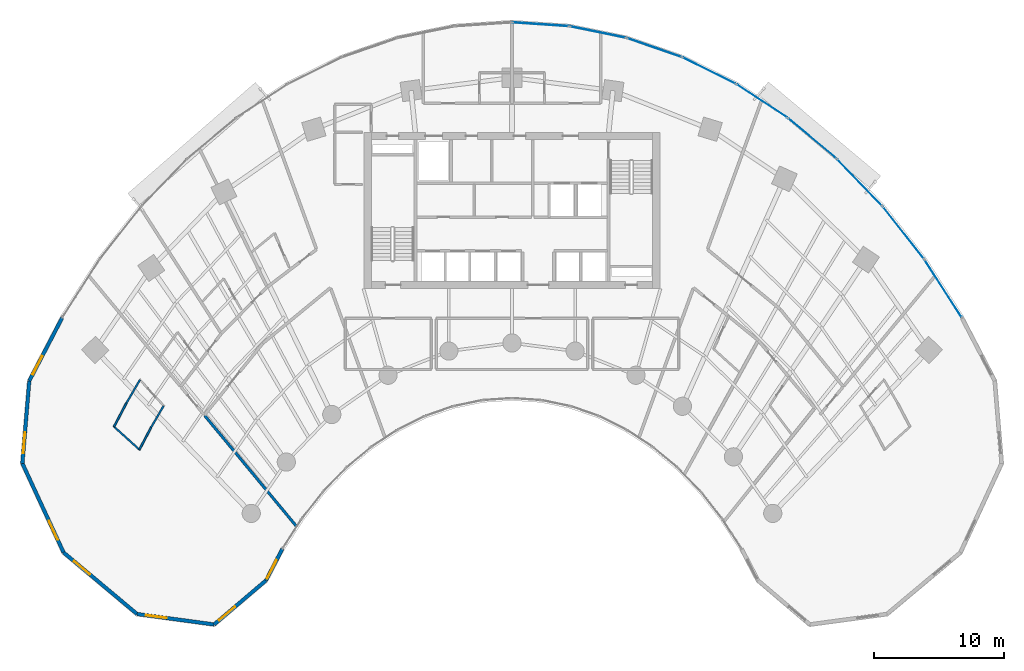
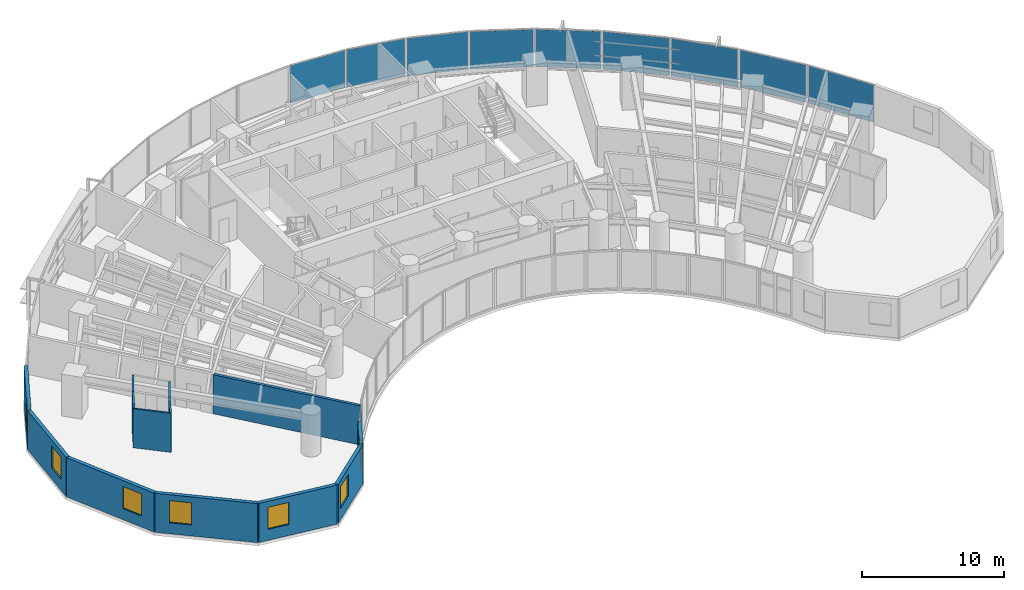
# One storey, part 10 of 17: 13 walls, 9 plates, 7 windows, 7 openings, 9 elements without a shape of their own.
"""IFC4 building model written with IfcOpenShell, lengths in metres."""

from ifc_helpers import new_model, si_unit, direction, frame, frame_2d, origin, origin_2d, place, context, subcontext, project, spatial, rectangle, extrude, source, transform, mapped, material, layer, layer_set, type_object, type_shapes, element, fill, aggregate, save


model = new_model("IFC4")

# Units and contexts
model_context = context("Model", 3, precision=1e-05, world=origin(), true_north=direction((0.0, 1.0)))
body_context = subcontext(model_context, "Body", "Model", "MODEL_VIEW")
ifc_project = project(units=[si_unit("LENGTHUNIT", "METRE"), si_unit("AREAUNIT", "SQUARE_METRE"), si_unit("VOLUMEUNIT", "CUBIC_METRE"), si_unit("PLANEANGLEUNIT", "RADIAN"), si_unit("MASSUNIT", "GRAM", prefix="KILO")], contexts=[model_context])

# Site, building, storey
site_placement = place(None, origin())
site = spatial("IfcSite", under=ifc_project, at=site_placement, CompositionType="ELEMENT")
building_placement = place(site_placement, origin())
building = spatial("IfcBuilding", under=site, at=building_placement, Name="Breltana Convention Tower", CompositionType="ELEMENT")
storey_placement = place(building_placement, frame((0.0, 0.0, 75.0)))
storey = spatial("IfcBuildingStorey", under=building, at=storey_placement, Name="L17", CompositionType="ELEMENT", Elevation=75.0)

# Curtain wall, plate
ifc_material_1 = material(Name="Aluminium Anodised Bronze Frame", Category="aluminium")
ifc_layer_1 = layer(ifc_material_1, 0.199951171875, Name="Aluminium Anodised Bronze Frame")
ifc_layer_set_1 = layer_set([ifc_layer_1], Name="Aluminium Anodised Bronze Frame")
curtain_wall_type = type_object("IfcCurtainWallType", Name="CW-SYS-2", PredefinedType="NOTDEFINED", material=ifc_layer_set_1)
curtain_wall_1_placement = place(storey_placement, origin())
curtain_wall_1 = element("IfcCurtainWall", 1, at=curtain_wall_1_placement, inside=storey, type_object=curtain_wall_type, Name="L17 outer double-skin inner glazing 17", PredefinedType="NOTDEFINED")
ifc_material_2 = material(Name="Glass Low-E Double Glazing", Category="glass")
ifc_layer_2 = layer(ifc_material_2, 0.031982421875, Name="Glass Low-E Double Glazing")
ifc_layer_set_2 = layer_set([ifc_layer_2], Name="Glass Low-E Double Glazing")
plate_type = type_object("IfcPlateType", Name="CWP-IGU-32", PredefinedType="CURTAIN_PANEL", material=ifc_layer_set_2)
shared_shape_1 = source(origin(), body_context, "Body", "SweptSolid", [
    extrude(rectangle(XDim=5.0546875, YDim=0.031982421875, at=origin_2d()), origin(), (0.0, 0.0, 1.0), 3.219970703125),
])
plate_1_placement = place(storey_placement, frame((78.038818359375, 64.504638671875, 0.06982421875), z_axis=(0.0, 0.0, 1.0), x_axis=(0.618153917633, -0.786057080698, 0.0)))
plate_1 = element("IfcPlate", 2, at=plate_1_placement, type_object=plate_type, Name="CW-02 panel 1.1", PredefinedType="CURTAIN_PANEL", context=body_context, shape_type="MappedRepresentation", body=[
    mapped(shared_shape_1, transform((0.0, 0.0, 0.0), scale=1.0)),
])
aggregate(curtain_wall_1, [plate_1])

curtain_wall_2_placement = place(storey_placement, origin())
curtain_wall_2 = element("IfcCurtainWall", 3, at=curtain_wall_2_placement, inside=storey, type_object=curtain_wall_type, Name="L17 outer double-skin inner glazing 16", PredefinedType="NOTDEFINED")
shared_shape_2 = source(origin(), body_context, "Body", "SweptSolid", [
    extrude(rectangle(XDim=4.901123046875, YDim=0.031982421875, at=origin_2d()), origin(), (0.0, 0.0, 1.0), 3.219970703125),
])
plate_2_placement = place(storey_placement, frame((74.682373046875, 68.359619140625, 0.06982421875), z_axis=(0.0, 0.0, 1.0), x_axis=(0.694610090106, -0.719386421003, 0.0)))
plate_2 = element("IfcPlate", 4, at=plate_2_placement, type_object=plate_type, Name="CW-02 panel 1.1", PredefinedType="CURTAIN_PANEL", context=body_context, shape_type="MappedRepresentation", body=[
    mapped(shared_shape_2, transform((0.0, 0.0, 0.0), scale=1.0)),
])
aggregate(curtain_wall_2, [plate_2])

curtain_wall_3_placement = place(storey_placement, origin())
curtain_wall_3 = element("IfcCurtainWall", 5, at=curtain_wall_3_placement, inside=storey, type_object=curtain_wall_type, Name="L17 outer double-skin inner glazing 15", PredefinedType="NOTDEFINED")
shared_shape_3 = source(origin(), body_context, "Body", "SweptSolid", [
    extrude(rectangle(XDim=4.7509765625, YDim=0.031982421875, at=origin_2d()), origin(), (0.0, 0.0, 1.0), 3.219970703125),
])
plate_3_placement = place(storey_placement, frame((71.0537109375, 71.7392578125, 0.06982421875), z_axis=(0.0, 0.0, 1.0), x_axis=(0.767941326958, -0.640520193554, 0.0)))
plate_3 = element("IfcPlate", 6, at=plate_3_placement, type_object=plate_type, Name="CW-02 panel 1.1", PredefinedType="CURTAIN_PANEL", context=body_context, shape_type="MappedRepresentation", body=[
    mapped(shared_shape_3, transform((0.0, 0.0, 0.0), scale=1.0)),
])
aggregate(curtain_wall_3, [plate_3])

curtain_wall_4_placement = place(storey_placement, origin())
curtain_wall_4 = element("IfcCurtainWall", 7, at=curtain_wall_4_placement, inside=storey, type_object=curtain_wall_type, Name="L17 outer double-skin inner glazing 14", PredefinedType="NOTDEFINED")
shared_shape_4 = source(origin(), body_context, "Body", "SweptSolid", [
    extrude(rectangle(XDim=4.610595703125, YDim=0.031982421875, at=origin_2d()), origin(), (0.0, 0.0, 1.0), 3.219970703125),
])
plate_4_placement = place(storey_placement, frame((67.18994140625, 74.609130859375, 0.06982421875), z_axis=(0.0, 0.0, 1.0), x_axis=(0.83596401875, -0.548784255746, 0.0)))
plate_4 = element("IfcPlate", 8, at=plate_4_placement, type_object=plate_type, Name="CW-02 panel 1.1", PredefinedType="CURTAIN_PANEL", context=body_context, shape_type="MappedRepresentation", body=[
    mapped(shared_shape_4, transform((0.0, 0.0, 0.0), scale=1.0)),
])
aggregate(curtain_wall_4, [plate_4])

curtain_wall_5_placement = place(storey_placement, origin())
curtain_wall_5 = element("IfcCurtainWall", 9, at=curtain_wall_5_placement, inside=storey, type_object=curtain_wall_type, Name="L17 outer double-skin inner glazing 13", PredefinedType="NOTDEFINED")
shared_shape_5 = source(origin(), body_context, "Body", "SweptSolid", [
    extrude(rectangle(XDim=4.487548828125, YDim=0.031982421875, at=origin_2d()), origin(), (0.0, 0.0, 1.0), 3.219970703125),
])
plate_5_placement = place(storey_placement, frame((63.13134765625, 76.940185546875, 0.06982421875), z_axis=(0.0, 0.0, 1.0), x_axis=(0.895973407804, -0.444107703726, 0.0)))
plate_5 = element("IfcPlate", 10, at=plate_5_placement, type_object=plate_type, Name="CW-02 panel 1.1", PredefinedType="CURTAIN_PANEL", context=body_context, shape_type="MappedRepresentation", body=[
    mapped(shared_shape_5, transform((0.0, 0.0, 0.0), scale=1.0)),
])
aggregate(curtain_wall_5, [plate_5])

curtain_wall_6_placement = place(storey_placement, origin())
curtain_wall_6 = element("IfcCurtainWall", 11, at=curtain_wall_6_placement, inside=storey, type_object=curtain_wall_type, Name="L17 outer double-skin inner glazing 12", PredefinedType="NOTDEFINED")
shared_shape_6 = source(origin(), body_context, "Body", "SweptSolid", [
    extrude(rectangle(XDim=4.388427734375, YDim=0.031982421875, at=origin_2d()), origin(), (0.0, 0.0, 1.0), 3.219970703125),
])
plate_6_placement = place(storey_placement, frame((58.9189453125, 78.709228515625, 0.06982421875), z_axis=(0.0, 0.0, 1.0), x_axis=(0.944876012163, -0.32742834581, 0.0)))
plate_6 = element("IfcPlate", 12, at=plate_6_placement, type_object=plate_type, Name="CW-02 panel 1.1", PredefinedType="CURTAIN_PANEL", context=body_context, shape_type="MappedRepresentation", body=[
    mapped(shared_shape_6, transform((0.0, 0.0, 0.0), scale=1.0)),
])
aggregate(curtain_wall_6, [plate_6])

curtain_wall_7_placement = place(storey_placement, origin())
curtain_wall_7 = element("IfcCurtainWall", 13, at=curtain_wall_7_placement, inside=storey, type_object=curtain_wall_type, Name="L17 outer double-skin inner glazing 11", PredefinedType="NOTDEFINED")
shared_shape_7 = source(origin(), body_context, "Body", "SweptSolid", [
    extrude(rectangle(XDim=4.318359375, YDim=0.031982421875, at=origin_2d()), origin(), (0.0, 0.0, 1.0), 3.219970703125),
])
plate_7_placement = place(storey_placement, frame((54.595703125, 79.898193359375, 0.06982421875), z_axis=(0.0, 0.0, 1.0), x_axis=(0.979614925743, -0.200884537139, 0.0)))
plate_7 = element("IfcPlate", 14, at=plate_7_placement, type_object=plate_type, Name="CW-02 panel 1.1", PredefinedType="CURTAIN_PANEL", context=body_context, shape_type="MappedRepresentation", body=[
    mapped(shared_shape_7, transform((0.0, 0.0, 0.0), scale=1.0)),
])
aggregate(curtain_wall_7, [plate_7])

curtain_wall_8_placement = place(storey_placement, origin())
curtain_wall_8 = element("IfcCurtainWall", 15, at=curtain_wall_8_placement, inside=storey, type_object=curtain_wall_type, Name="L17 outer double-skin inner glazing 10", PredefinedType="NOTDEFINED")
shared_shape_8 = source(origin(), body_context, "Body", "SweptSolid", [
    extrude(rectangle(XDim=4.2822265625, YDim=0.031982421875, at=origin_2d()), origin(), (0.0, 0.0, 1.0), 3.219970703125),
])
plate_8_placement = place(storey_placement, frame((50.2060546875, 80.495849609375, 0.06982421875), z_axis=(0.0, 0.0, 1.0), x_axis=(0.997703982282, -0.067725650529, 0.0)))
plate_8 = element("IfcPlate", 16, at=plate_8_placement, type_object=plate_type, Name="CW-02 panel 1.1", PredefinedType="CURTAIN_PANEL", context=body_context, shape_type="MappedRepresentation", body=[
    mapped(shared_shape_8, transform((0.0, 0.0, 0.0), scale=1.0)),
])
aggregate(curtain_wall_8, [plate_8])

curtain_wall_9_placement = place(storey_placement, origin())
curtain_wall_9 = element("IfcCurtainWall", 17, at=curtain_wall_9_placement, inside=storey, type_object=curtain_wall_type, Name="L17 outer double-skin inner glazing 18", PredefinedType="NOTDEFINED")
shared_shape_9 = source(origin(), body_context, "Body", "SweptSolid", [
    extrude(rectangle(XDim=5.20556640625, YDim=0.031982421875, at=origin_2d()), origin(), (0.0, 0.0, 1.0), 3.219970703125),
])
plate_9_placement = place(storey_placement, frame((81.088134765625, 60.2138671875, 0.06982421875), z_axis=(0.0, 0.0, 1.0), x_axis=(0.540180724109, -0.841549039154, 0.0)))
plate_9 = element("IfcPlate", 18, at=plate_9_placement, type_object=plate_type, Name="CW-02 panel 1.1", PredefinedType="CURTAIN_PANEL", context=body_context, shape_type="MappedRepresentation", body=[
    mapped(shared_shape_9, transform((0.0, 0.0, 0.0), scale=1.0)),
])
aggregate(curtain_wall_9, [plate_9])

# Wall, opening, window
ifc_material_3 = material(Name="Limestone Buff Insulated Wall", Category="masonry")
ifc_layer_3 = layer(ifc_material_3, 0.280029296875, Name="Limestone Buff Insulated Wall")
ifc_layer_set_3 = layer_set([ifc_layer_3], Name="Limestone Buff Insulated Wall")
wall_type_1 = type_object("IfcWallType", Name="WL-EXT-NOSE-280", PredefinedType="SOLIDWALL", material=ifc_layer_set_3)
shared_shape_10 = source(origin(), body_context, "Body", "SweptSolid", [
    extrude(rectangle(XDim=6.3525390625, YDim=0.280029296875, at=frame_2d((3.17626953125, 0.0))), origin(), (0.0, 0.0, 1.0), 3.360107421875),
])
wall_1_placement = place(storey_placement, frame((10.417724609375, 46.79150390625, 0.0), z_axis=(0.0, 0.0, 1.0), x_axis=(0.083319001377, 0.996522926986, 0.0)))
wall_1 = element("IfcWall", 19, at=wall_1_placement, inside=storey, type_object=wall_type_1, Name="L17 curved limestone nose wall W6", PredefinedType="SOLIDWALL", context=body_context, shape_type="MappedRepresentation", body=[
    mapped(shared_shape_10, transform((0.0, 0.0, 0.0), scale=1.0)),
])
opening_1_placement = place(wall_1_placement, frame((0.7880859375, 0.0, 0.949951171875)))
opening_1 = element("IfcOpeningElement", 20, at=opening_1_placement, cuts=wall_1, Name="Opening W-04", PredefinedType="OPENING", context=body_context, shape_type="SweptSolid", body=[
    extrude(rectangle(XDim=1.60009765625, YDim=1.89990234375, at=frame_2d((0.800048828125, 0.949951171875))), frame((0.0, 0.14990234375, 0.0), z_axis=(0.0, -1.0, 0.0), x_axis=(1.0, 0.0, 0.0)), (0.0, 0.0, 1.0), 0.300048828125),
])
ifc_material_4 = material(Name="Glass Low-E Insulated Window", Category="glass")
window_type = type_object("IfcWindowType", Name="WN-NOSE-1600X1900", PartitioningType="SINGLE_PANEL", PredefinedType="WINDOW", material=ifc_material_4)
shared_shape_11 = source(origin(), body_context, "Body", "SweptSolid", [
    extrude(rectangle(XDim=1.60009765625, YDim=1.89990234375, at=frame_2d((0.800048828125, 0.949951171875))), frame((0.0, 0.030029296875, 0.0), z_axis=(0.0, -1.0, 0.0), x_axis=(1.0, 0.0, 0.0)), (0.0, 0.0, 1.0), 0.06005859375),
])
type_shapes(window_type, [shared_shape_11])
window_1_placement = place(opening_1_placement, origin())
window_1 = element("IfcWindow", 21, at=window_1_placement, inside=storey, type_object=window_type, Name="L17 nose window W6", OverallHeight=1.89990234375, OverallWidth=1.60009765625, PartitioningType="SINGLE_PANEL", PredefinedType="WINDOW", context=body_context, shape_type="MappedRepresentation", body=[
    mapped(shared_shape_11, transform((0.0, 0.0, 0.0), scale=1.0)),
])
fill(opening_1, window_1)

shared_shape_12 = source(origin(), body_context, "Body", "SweptSolid", [
    extrude(rectangle(XDim=7.536376953125, YDim=0.280029296875, at=frame_2d((3.76806640625, 0.0))), origin(), (0.0, 0.0, 1.0), 3.360107421875),
])
wall_2_placement = place(storey_placement, frame((13.580322265625, 39.950927734375, 0.0), z_axis=(0.0, 0.0, 1.0), x_axis=(-0.41964973873, 0.907686122393, 0.0)))
wall_2 = element("IfcWall", 22, at=wall_2_placement, inside=storey, type_object=wall_type_1, Name="L17 curved limestone nose wall W5", PredefinedType="SOLIDWALL", context=body_context, shape_type="MappedRepresentation", body=[
    mapped(shared_shape_12, transform((0.0, 0.0, 0.0), scale=1.0)),
])
opening_2_placement = place(wall_2_placement, frame((1.083984375, 0.0, 0.949951171875)))
opening_2 = element("IfcOpeningElement", 23, at=opening_2_placement, cuts=wall_2, Name="Opening W-04", PredefinedType="OPENING", context=body_context, shape_type="SweptSolid", body=[
    extrude(rectangle(XDim=1.60009765625, YDim=1.89990234375, at=frame_2d((0.800048828125, 0.949951171875))), frame((0.0, 0.14990234375, 0.0), z_axis=(0.0, -1.0, 0.0), x_axis=(1.0, 0.0, 0.0)), (0.0, 0.0, 1.0), 0.300048828125),
])
window_2_placement = place(opening_2_placement, origin())
window_2 = element("IfcWindow", 24, at=window_2_placement, inside=storey, type_object=window_type, Name="L17 nose window W5", OverallHeight=1.89990234375, OverallWidth=1.60009765625, PartitioningType="SINGLE_PANEL", PredefinedType="WINDOW", context=body_context, shape_type="MappedRepresentation", body=[
    mapped(shared_shape_11, transform((0.0, 0.0, 0.0), scale=1.0)),
])
fill(opening_2, window_2)

shared_shape_13 = source(origin(), body_context, "Body", "SweptSolid", [
    extrude(rectangle(XDim=7.35888671875, YDim=0.280029296875, at=frame_2d((3.679443359375, 0.0))), origin(), (0.0, 0.0, 1.0), 3.360107421875),
])
wall_3_placement = place(storey_placement, frame((19.22265625, 35.226806640625, 0.0), z_axis=(0.0, 0.0, 1.0), x_axis=(-0.766737165543, 0.641961150675, 0.0)))
wall_3 = element("IfcWall", 25, at=wall_3_placement, inside=storey, type_object=wall_type_1, Name="L17 curved limestone nose wall W4", PredefinedType="SOLIDWALL", context=body_context, shape_type="MappedRepresentation", body=[
    mapped(shared_shape_13, transform((0.0, 0.0, 0.0), scale=1.0)),
])
opening_3_placement = place(wall_3_placement, frame((4.71923828125, 0.0, 0.949951171875)))
opening_3 = element("IfcOpeningElement", 26, at=opening_3_placement, cuts=wall_3, Name="Opening W-04", PredefinedType="OPENING", context=body_context, shape_type="SweptSolid", body=[
    extrude(rectangle(XDim=1.60009765625, YDim=1.89990234375, at=frame_2d((0.800048828125, 0.949951171875))), frame((0.0, 0.14990234375, 0.0), z_axis=(0.0, -1.0, 0.0), x_axis=(1.0, 0.0, 0.0)), (0.0, 0.0, 1.0), 0.300048828125),
])
window_3_placement = place(opening_3_placement, origin())
window_3 = element("IfcWindow", 27, at=window_3_placement, inside=storey, type_object=window_type, Name="L17 nose window W4", OverallHeight=1.89990234375, OverallWidth=1.60009765625, PartitioningType="SINGLE_PANEL", PredefinedType="WINDOW", context=body_context, shape_type="MappedRepresentation", body=[
    mapped(shared_shape_11, transform((0.0, 0.0, 0.0), scale=1.0)),
])
fill(opening_3, window_3)

shared_shape_14 = source(origin(), body_context, "Body", "SweptSolid", [
    extrude(rectangle(XDim=5.96728515625, YDim=0.280029296875, at=frame_2d((2.983642578125, 0.0))), origin(), (0.0, 0.0, 1.0), 3.360107421875),
])
wall_4_placement = place(storey_placement, frame((25.1357421875, 34.4248046875, 0.0), z_axis=(0.0, 0.0, 1.0), x_axis=(-0.990927009341, 0.134401124099, 0.0)))
wall_4 = element("IfcWall", 28, at=wall_4_placement, inside=storey, type_object=wall_type_1, Name="L17 curved limestone nose wall W3", PredefinedType="SOLIDWALL", context=body_context, shape_type="MappedRepresentation", body=[
    mapped(shared_shape_14, transform((0.0, 0.0, 0.0), scale=1.0)),
])
opening_4_placement = place(wall_4_placement, frame((3.675537109375, 0.0, 0.949951171875)))
opening_4 = element("IfcOpeningElement", 29, at=opening_4_placement, cuts=wall_4, Name="Opening W-04", PredefinedType="OPENING", context=body_context, shape_type="SweptSolid", body=[
    extrude(rectangle(XDim=1.60009765625, YDim=1.89990234375, at=frame_2d((0.800048828125, 0.949951171875))), frame((0.0, 0.14990234375, 0.0), z_axis=(0.0, -1.0, 0.0), x_axis=(1.0, 0.0, 0.0)), (0.0, 0.0, 1.0), 0.300048828125),
])
window_4_placement = place(opening_4_placement, origin())
window_4 = element("IfcWindow", 30, at=window_4_placement, inside=storey, type_object=window_type, Name="L17 nose window W3", OverallHeight=1.89990234375, OverallWidth=1.60009765625, PartitioningType="SINGLE_PANEL", PredefinedType="WINDOW", context=body_context, shape_type="MappedRepresentation", body=[
    mapped(shared_shape_11, transform((0.0, 0.0, 0.0), scale=1.0)),
])
fill(opening_4, window_4)

shared_shape_15 = source(origin(), body_context, "Body", "SweptSolid", [
    extrude(rectangle(XDim=5.222412109375, YDim=0.280029296875, at=frame_2d((2.611328125, 0.0))), origin(), (0.0, 0.0, 1.0), 3.360107421875),
])
wall_5_placement = place(storey_placement, frame((29.11474609375, 37.807373046875, 0.0), z_axis=(0.0, 0.0, 1.0), x_axis=(-0.761900099546, -0.647694556339, 0.0)))
wall_5 = element("IfcWall", 31, at=wall_5_placement, inside=storey, type_object=wall_type_1, Name="L17 curved limestone nose wall W2", PredefinedType="SOLIDWALL", context=body_context, shape_type="MappedRepresentation", body=[
    mapped(shared_shape_15, transform((0.0, 0.0, 0.0), scale=1.0)),
])
opening_5_placement = place(wall_5_placement, frame((3.11669921875, 0.0, 0.949951171875)))
opening_5 = element("IfcOpeningElement", 32, at=opening_5_placement, cuts=wall_5, Name="Opening W-04", PredefinedType="OPENING", context=body_context, shape_type="SweptSolid", body=[
    extrude(rectangle(XDim=1.60009765625, YDim=1.89990234375, at=frame_2d((0.800048828125, 0.949951171875))), frame((0.0, 0.14990234375, 0.0), z_axis=(0.0, -1.0, 0.0), x_axis=(1.0, 0.0, 0.0)), (0.0, 0.0, 1.0), 0.300048828125),
])
window_5_placement = place(opening_5_placement, origin())
window_5 = element("IfcWindow", 33, at=window_5_placement, inside=storey, type_object=window_type, Name="L17 nose window W2", OverallHeight=1.89990234375, OverallWidth=1.60009765625, PartitioningType="SINGLE_PANEL", PredefinedType="WINDOW", context=body_context, shape_type="MappedRepresentation", body=[
    mapped(shared_shape_11, transform((0.0, 0.0, 0.0), scale=1.0)),
])
fill(opening_5, window_5)

shared_shape_16 = source(origin(), body_context, "Body", "SweptSolid", [
    extrude(rectangle(XDim=2.7353515625, YDim=0.280029296875, at=frame_2d((1.36767578125, 0.0))), origin(), (0.0, 0.0, 1.0), 3.360107421875),
])
wall_6_placement = place(storey_placement, frame((30.3779296875, 40.233642578125, 0.0), z_axis=(0.0, 0.0, 1.0), x_axis=(-0.46179107292, -0.886988728774, 0.0)))
wall_6 = element("IfcWall", 34, at=wall_6_placement, inside=storey, type_object=wall_type_1, Name="L17 curved limestone nose wall W1", PredefinedType="SOLIDWALL", context=body_context, shape_type="MappedRepresentation", body=[
    mapped(shared_shape_16, transform((0.0, 0.0, 0.0), scale=1.0)),
])
opening_6_placement = place(wall_6_placement, frame((0.9755859375, 0.0, 0.949951171875)))
opening_6 = element("IfcOpeningElement", 35, at=opening_6_placement, cuts=wall_6, Name="Opening W-04", PredefinedType="OPENING", context=body_context, shape_type="SweptSolid", body=[
    extrude(rectangle(XDim=1.60009765625, YDim=1.89990234375, at=frame_2d((0.800048828125, 0.949951171875))), frame((0.0, 0.14990234375, 0.0), z_axis=(0.0, -1.0, 0.0), x_axis=(1.0, 0.0, 0.0)), (0.0, 0.0, 1.0), 0.300048828125),
])
window_6_placement = place(opening_6_placement, origin())
window_6 = element("IfcWindow", 36, at=window_6_placement, inside=storey, type_object=window_type, Name="L17 nose window W1", OverallHeight=1.89990234375, OverallWidth=1.60009765625, PartitioningType="SINGLE_PANEL", PredefinedType="WINDOW", context=body_context, shape_type="MappedRepresentation", body=[
    mapped(shared_shape_11, transform((0.0, 0.0, 0.0), scale=1.0)),
])
fill(opening_6, window_6)

shared_shape_17 = source(origin(), body_context, "Body", "SweptSolid", [
    extrude(rectangle(XDim=5.45947265625, YDim=0.280029296875, at=frame_2d((2.729736328125, 0.0))), origin(), (0.0, 0.0, 1.0), 3.360107421875),
])
wall_7_placement = place(storey_placement, frame((10.947021484375, 53.1220703125, 0.0), z_axis=(0.0, 0.0, 1.0), x_axis=(0.461768054321, 0.887000712518, 0.0)))
wall_7 = element("IfcWall", 37, at=wall_7_placement, inside=storey, type_object=wall_type_1, Name="L17 curved limestone nose wall W7", PredefinedType="SOLIDWALL", context=body_context, shape_type="MappedRepresentation", body=[
    mapped(shared_shape_17, transform((0.0, 0.0, 0.0), scale=1.0)),
])
opening_7_placement = place(wall_7_placement, frame((0.56494140625, 0.0, 0.949951171875)))
opening_7 = element("IfcOpeningElement", 38, at=opening_7_placement, cuts=wall_7, Name="Opening W-04", PredefinedType="OPENING", context=body_context, shape_type="SweptSolid", body=[
    extrude(rectangle(XDim=1.60009765625, YDim=1.89990234375, at=frame_2d((0.800048828125, 0.949951171875))), frame((0.0, 0.14990234375, 0.0), z_axis=(0.0, -1.0, 0.0), x_axis=(1.0, 0.0, 0.0)), (0.0, 0.0, 1.0), 0.300048828125),
])
window_7_placement = place(opening_7_placement, origin())
window_7 = element("IfcWindow", 39, at=window_7_placement, inside=storey, type_object=window_type, Name="L17 nose window W7", OverallHeight=1.89990234375, OverallWidth=1.60009765625, PartitioningType="SINGLE_PANEL", PredefinedType="WINDOW", context=body_context, shape_type="MappedRepresentation", body=[
    mapped(shared_shape_11, transform((0.0, 0.0, 0.0), scale=1.0)),
])
fill(opening_7, window_7)

# Walls
ifc_material_5 = material(Name="Moisture-Resistant En-Suite Partition")
ifc_layer_4 = layer(ifc_material_5, 0.139892578125, Name="Moisture-Resistant En-Suite Partition")
ifc_layer_set_4 = layer_set([ifc_layer_4], Name="Moisture-Resistant En-Suite Partition")
wall_type_2 = type_object("IfcWallType", Name="WL-WET-150", PredefinedType="PARTITIONING", material=ifc_layer_set_4)
shared_shape_18 = source(origin(), body_context, "Body", "SweptSolid", [
    extrude(rectangle(XDim=2.738037109375, YDim=0.139892578125, at=frame_2d((1.369140625, 0.0))), origin(), (0.0, 0.0, 1.0), 3.360107421875),
])
wall_8_placement = place(storey_placement, frame((19.439697265625, 47.81396484375, 0.0), z_axis=(0.0, 0.0, 1.0), x_axis=(-0.741873676582, 0.670539669218, 0.0)))
element("IfcWall", 40, at=wall_8_placement, inside=storey, type_object=wall_type_2, Name="L17 interior partition W-L17-CSENS-W-F", PredefinedType="PARTITIONING", context=body_context, shape_type="MappedRepresentation", body=[
    mapped(shared_shape_18, transform((0.0, 0.0, 0.0), scale=1.0)),
])
shared_shape_19 = source(origin(), body_context, "Body", "SweptSolid", [
    extrude(rectangle(XDim=1.936279296875, YDim=0.139892578125, at=frame_2d((0.96826171875, 0.0))), origin(), (0.0, 0.0, 1.0), 3.360107421875),
])
wall_9_placement = place(storey_placement, frame((19.398193359375, 47.8515625, 0.0), z_axis=(0.0, 0.0, 1.0), x_axis=(0.467174971862, 0.884164886017, 0.0)))
element("IfcWall", 41, at=wall_9_placement, inside=storey, type_object=wall_type_2, Name="L17 interior partition W-L17-CSENS-W-B1A", PredefinedType="PARTITIONING", context=body_context, shape_type="MappedRepresentation", body=[
    mapped(shared_shape_19, transform((0.0, 0.0, 0.0), scale=1.0)),
])
shared_shape_20 = source(origin(), body_context, "Body", "SweptSolid", [
    extrude(rectangle(XDim=2.068115234375, YDim=0.139892578125, at=frame_2d((1.0341796875, 0.0))), origin(), (0.0, 0.0, 1.0), 3.360107421875),
])
wall_10_placement = place(storey_placement, frame((17.449951171875, 49.6123046875, 0.0), z_axis=(0.0, 0.0, 1.0), x_axis=(0.467215057643, 0.884143704333, 0.0)))
element("IfcWall", 42, at=wall_10_placement, inside=storey, type_object=wall_type_2, Name="L17 interior partition W-L17-CSENS-W-B2A", PredefinedType="PARTITIONING", context=body_context, shape_type="MappedRepresentation", body=[
    mapped(shared_shape_20, transform((0.0, 0.0, 0.0), scale=1.0)),
])
shared_shape_21 = source(origin(), body_context, "Body", "SweptSolid", [
    extrude(rectangle(XDim=1.914306640625, YDim=0.139892578125, at=frame_2d((0.95703125, 0.0))), origin(), (0.0, 0.0, 1.0), 3.360107421875),
])
wall_11_placement = place(storey_placement, frame((20.302734375, 49.5634765625, 0.0), z_axis=(0.0, 0.0, 1.0), x_axis=(0.502347790612, 0.864665656347, 0.0)))
element("IfcWall", 43, at=wall_11_placement, inside=storey, type_object=wall_type_2, Name="L17 interior partition W-L17-CSENS-W-B1B", PredefinedType="PARTITIONING", context=body_context, shape_type="MappedRepresentation", body=[
    mapped(shared_shape_21, transform((0.0, 0.0, 0.0), scale=1.0)),
])
shared_shape_22 = source(origin(), body_context, "Body", "SweptSolid", [
    extrude(rectangle(XDim=2.044677734375, YDim=0.139892578125, at=frame_2d((1.0224609375, 0.0))), origin(), (0.0, 0.0, 1.0), 3.360107421875),
])
wall_12_placement = place(storey_placement, frame((18.416259765625, 51.44091796875, 0.0), z_axis=(0.0, 0.0, 1.0), x_axis=(0.5023112139, 0.864686905411, 0.0)))
element("IfcWall", 44, at=wall_12_placement, inside=storey, type_object=wall_type_2, Name="L17 interior partition W-L17-CSENS-W-B2B", PredefinedType="PARTITIONING", context=body_context, shape_type="MappedRepresentation", body=[
    mapped(shared_shape_22, transform((0.0, 0.0, 0.0), scale=1.0)),
])
ifc_material_6 = material(Name="Autoclaved Aerated Masonry Blockwork", Category="masonry")
ifc_layer_5 = layer(ifc_material_6, 0.2099609375, Name="Autoclaved Aerated Masonry Blockwork")
ifc_layer_set_5 = layer_set([ifc_layer_5], Name="Autoclaved Aerated Masonry Blockwork")
wall_type_3 = type_object("IfcWallType", Name="WL-PART-200", PredefinedType="PARTITIONING", material=ifc_layer_set_5)
shared_shape_23 = source(origin(), body_context, "Body", "SweptSolid", [
    extrude(rectangle(XDim=11.05322265625, YDim=0.2099609375, at=frame_2d((5.526611328125, 0.0))), origin(), (0.0, 0.0, 1.0), 3.360107421875),
])
wall_13_placement = place(storey_placement, frame((31.466064453125, 41.948974609375, 0.0), z_axis=(0.0, 0.0, 1.0), x_axis=(-0.638131235571, 0.769927611005, 0.0)))
element("IfcWall", 45, at=wall_13_placement, inside=storey, type_object=wall_type_3, Name="L17 interior partition W-L17-H3IW-RA", PredefinedType="PARTITIONING", context=body_context, shape_type="MappedRepresentation", body=[
    mapped(shared_shape_23, transform((0.0, 0.0, 0.0), scale=1.0)),
])

save(model, "model.ifc")
